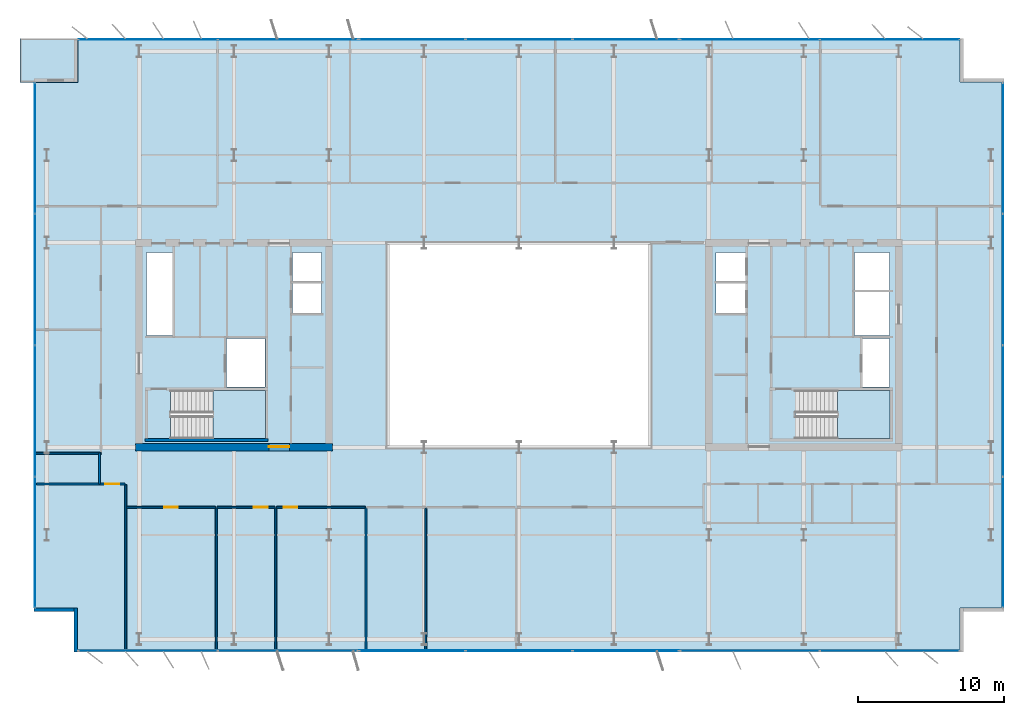
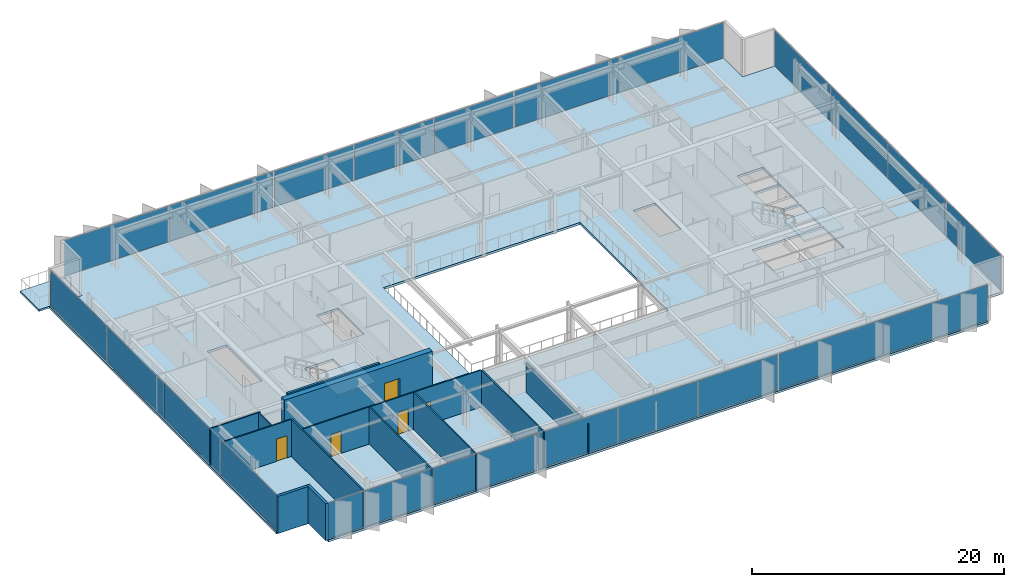
# One storey, part 16 of 23: 22 plates, 15 walls, 5 doors, 4 slabs, 5 openings, 10 elements without a shape of their own.
"""IFC4 building model written with IfcOpenShell, lengths in metres."""

from ifc_helpers import new_model, si_unit, direction, frame, frame_2d, origin, origin_2d, place, context, subcontext, project, spatial, polyline, rectangle, outline, extrude, material, layer, layer_set, type_object, element, fill, aggregate, save


model = new_model("IFC4")

# Units and contexts
model_context = context("Model", 3, precision=1e-05, world=origin(), true_north=direction((0.0, 1.0)))
body_context = subcontext(model_context, "Body", "Model", "MODEL_VIEW")
ifc_project = project(units=[si_unit("LENGTHUNIT", "METRE"), si_unit("AREAUNIT", "SQUARE_METRE"), si_unit("VOLUMEUNIT", "CUBIC_METRE"), si_unit("PLANEANGLEUNIT", "RADIAN"), si_unit("MASSUNIT", "GRAM", prefix="KILO")], contexts=[model_context])

# Site, building, storey
site_placement = place(None, origin())
site = spatial("IfcSite", under=ifc_project, at=site_placement, CompositionType="ELEMENT")
building_placement = place(site_placement, origin())
building = spatial("IfcBuilding", under=site, at=building_placement, Name="Putna Gate Headquarters", CompositionType="ELEMENT")
storey_placement = place(building_placement, frame((0.0, 0.0, 221.39990234375)))
storey = spatial("IfcBuildingStorey", under=building, at=storey_placement, Name="L55", CompositionType="ELEMENT", Elevation=221.39990234375)

# Stair, slab
ifc_material_1 = material(Name="Concrete C40/50", Category="concrete")
stair_type_1 = type_object("IfcStairType", Name="STAIR-ST1", PredefinedType="HALF_TURN_STAIR", material=ifc_material_1)
stair_1_placement = place(storey_placement, origin())
stair_1 = element("IfcStair", 1, at=stair_1_placement, inside=storey, type_object=stair_type_1, Name="L55 West Core Exit Stair ST1", PredefinedType="HALF_TURN_STAIR")
ifc_layer_1 = layer(ifc_material_1, 0.199951171875)
ifc_layer_set_1 = layer_set([ifc_layer_1], Name="Concrete C40/50")
slab_type_1 = type_object("IfcSlabType", Name="LANDING-ST1", PredefinedType="LANDING", material=ifc_layer_set_1)
slab_1_placement = place(storey_placement, frame((0.0, 0.0, 1.7001953125)))
slab_1 = element("IfcSlab", 2, at=slab_1_placement, type_object=slab_type_1, Name="ST1 landing 1", PredefinedType="LANDING", context=body_context, shape_type="SweptSolid", body=[
    extrude(outline(polyline([(18.050048828125, 19.60009765625), (21.64990234375, 19.60009765625), (21.64990234375, 22.89990234375), (18.050048828125, 22.89990234375), (18.050048828125, 19.60009765625)])), origin(), (0.0, 0.0, 1.0), 0.199951171875),
])
aggregate(stair_1, [slab_1])

stair_type_2 = type_object("IfcStairType", Name="STAIR-ST2", PredefinedType="HALF_TURN_STAIR", material=ifc_material_1)
stair_2_placement = place(storey_placement, origin())
stair_2 = element("IfcStair", 3, at=stair_2_placement, inside=storey, type_object=stair_type_2, Name="L55 East Core Exit Stair ST2", PredefinedType="HALF_TURN_STAIR")
ifc_layer_2 = layer(ifc_material_1, 0.199951171875)
ifc_layer_set_2 = layer_set([ifc_layer_2], Name="Concrete C40/50")
slab_type_2 = type_object("IfcSlabType", Name="LANDING-ST2", PredefinedType="LANDING", material=ifc_layer_set_2)
slab_2_placement = place(storey_placement, frame((0.0, 0.0, 1.7001953125)))
slab_2 = element("IfcSlab", 4, at=slab_2_placement, type_object=slab_type_2, Name="ST2 landing 1", PredefinedType="LANDING", context=body_context, shape_type="SweptSolid", body=[
    extrude(outline(polyline([(60.800048828125, 19.60009765625), (64.39990234375, 19.60009765625), (64.39990234375, 22.89990234375), (60.800048828125, 22.89990234375), (60.800048828125, 19.60009765625)])), origin(), (0.0, 0.0, 1.0), 0.199951171875),
])
aggregate(stair_2, [slab_2])

# Curtain wall, plates
ifc_material_2 = material(Name="Anodised bronze aluminium curtain wall", Category="aluminium")
ifc_layer_3 = layer(ifc_material_2, 0.139892578125)
ifc_layer_set_3 = layer_set([ifc_layer_3], Name="Anodised bronze aluminium curtain wall")
curtain_wall_type_1 = type_object("IfcCurtainWallType", Name="CW-SYS-Z4", PredefinedType="USERDEFINED", material=ifc_layer_set_3)
curtain_wall_1_placement = place(storey_placement, origin())
curtain_wall_1 = element("IfcCurtainWall", 5, at=curtain_wall_1_placement, inside=storey, type_object=curtain_wall_type_1, Name="L55 South West Curtain Wall", ObjectType="STICK CURTAIN WALL", PredefinedType="USERDEFINED")
ifc_material_3 = material(Name="Solar-control triple low-E glass", Category="glass")
ifc_layer_4 = layer(ifc_material_3, 0.02587890625)
ifc_layer_set_4 = layer_set([ifc_layer_4], Name="Solar-control triple low-E glass")
plate_type_1 = type_object("IfcPlateType", Name="PAN-CWP-4", PredefinedType="CURTAIN_PANEL", material=ifc_layer_set_4)
plate_1_placement = place(storey_placement, frame((13.614990234375, 5.080078125, 0.06005859375), z_axis=(0.0, 0.0, 1.0), x_axis=(1.0, 0.0, 0.0)))
plate_1 = element("IfcPlate", 6, at=plate_1_placement, type_object=plate_type_1, Name="CWS-4 panel 1.1", PredefinedType="CURTAIN_PANEL", context=body_context, shape_type="SweptSolid", body=[
    extrude(rectangle(XDim=9.510009765625, YDim=0.02587890625, at=origin_2d()), origin(), (0.0, 0.0, 1.0), 3.4599609375),
])
plate_2_placement = place(storey_placement, frame((23.18505859375, 5.080078125, 0.06005859375), z_axis=(0.0, 0.0, 1.0), x_axis=(1.0, 0.0, 0.0)))
plate_2 = element("IfcPlate", 7, at=plate_2_placement, type_object=plate_type_1, Name="CWS-4 panel 2.1", PredefinedType="CURTAIN_PANEL", context=body_context, shape_type="SweptSolid", body=[
    extrude(rectangle(XDim=9.510009765625, YDim=0.02587890625, at=origin_2d()), origin(), (0.0, 0.0, 1.0), 3.4599609375),
])
aggregate(curtain_wall_1, [plate_1, plate_2])

curtain_wall_2_placement = place(storey_placement, origin())
curtain_wall_2 = element("IfcCurtainWall", 8, at=curtain_wall_2_placement, inside=storey, type_object=curtain_wall_type_1, Name="L55 South East Curtain Wall", ObjectType="STICK CURTAIN WALL", PredefinedType="USERDEFINED")
plate_3_placement = place(storey_placement, frame((54.81494140625, 5.080078125, 0.06005859375), z_axis=(0.0, 0.0, 1.0), x_axis=(1.0, 0.0, 0.0)))
plate_3 = element("IfcPlate", 9, at=plate_3_placement, type_object=plate_type_1, Name="CWS-4 panel 1.1", PredefinedType="CURTAIN_PANEL", context=body_context, shape_type="SweptSolid", body=[
    extrude(rectangle(XDim=9.510009765625, YDim=0.02587890625, at=origin_2d()), origin(), (0.0, 0.0, 1.0), 3.4599609375),
])
plate_4_placement = place(storey_placement, frame((64.385009765625, 5.080078125, 0.06005859375), z_axis=(0.0, 0.0, 1.0), x_axis=(1.0, 0.0, 0.0)))
plate_4 = element("IfcPlate", 10, at=plate_4_placement, type_object=plate_type_1, Name="CWS-4 panel 2.1", PredefinedType="CURTAIN_PANEL", context=body_context, shape_type="SweptSolid", body=[
    extrude(rectangle(XDim=9.510009765625, YDim=0.02587890625, at=origin_2d()), origin(), (0.0, 0.0, 1.0), 3.4599609375),
])
aggregate(curtain_wall_2, [plate_3, plate_4])

curtain_wall_3_placement = place(storey_placement, origin())
curtain_wall_3 = element("IfcCurtainWall", 11, at=curtain_wall_3_placement, inside=storey, type_object=curtain_wall_type_1, Name="L55 North West Curtain Wall", ObjectType="STICK CURTAIN WALL", PredefinedType="USERDEFINED")
plate_5_placement = place(storey_placement, frame((13.614990234375, 46.919921875, 0.06005859375), z_axis=(0.0, 0.0, 1.0), x_axis=(1.0, 0.0, 0.0)))
plate_5 = element("IfcPlate", 12, at=plate_5_placement, type_object=plate_type_1, Name="CWS-4 panel 1.1", PredefinedType="CURTAIN_PANEL", context=body_context, shape_type="SweptSolid", body=[
    extrude(rectangle(XDim=9.510009765625, YDim=0.02587890625, at=origin_2d()), origin(), (0.0, 0.0, 1.0), 3.4599609375),
])
plate_6_placement = place(storey_placement, frame((23.18505859375, 46.919921875, 0.06005859375), z_axis=(0.0, 0.0, 1.0), x_axis=(1.0, 0.0, 0.0)))
plate_6 = element("IfcPlate", 13, at=plate_6_placement, type_object=plate_type_1, Name="CWS-4 panel 2.1", PredefinedType="CURTAIN_PANEL", context=body_context, shape_type="SweptSolid", body=[
    extrude(rectangle(XDim=9.510009765625, YDim=0.02587890625, at=origin_2d()), origin(), (0.0, 0.0, 1.0), 3.4599609375),
])
aggregate(curtain_wall_3, [plate_5, plate_6])

curtain_wall_4_placement = place(storey_placement, origin())
curtain_wall_4 = element("IfcCurtainWall", 14, at=curtain_wall_4_placement, inside=storey, type_object=curtain_wall_type_1, Name="L55 North East Curtain Wall", ObjectType="STICK CURTAIN WALL", PredefinedType="USERDEFINED")
plate_7_placement = place(storey_placement, frame((54.81494140625, 46.919921875, 0.06005859375), z_axis=(0.0, 0.0, 1.0), x_axis=(1.0, 0.0, 0.0)))
plate_7 = element("IfcPlate", 15, at=plate_7_placement, type_object=plate_type_1, Name="CWS-4 panel 1.1", PredefinedType="CURTAIN_PANEL", context=body_context, shape_type="SweptSolid", body=[
    extrude(rectangle(XDim=9.510009765625, YDim=0.02587890625, at=origin_2d()), origin(), (0.0, 0.0, 1.0), 3.4599609375),
])
plate_8_placement = place(storey_placement, frame((64.385009765625, 46.919921875, 0.06005859375), z_axis=(0.0, 0.0, 1.0), x_axis=(1.0, 0.0, 0.0)))
plate_8 = element("IfcPlate", 16, at=plate_8_placement, type_object=plate_type_1, Name="CWS-4 panel 2.1", PredefinedType="CURTAIN_PANEL", context=body_context, shape_type="SweptSolid", body=[
    extrude(rectangle(XDim=9.510009765625, YDim=0.02587890625, at=origin_2d()), origin(), (0.0, 0.0, 1.0), 3.4599609375),
])
aggregate(curtain_wall_4, [plate_7, plate_8])

curtain_wall_5_placement = place(storey_placement, origin())
curtain_wall_5 = element("IfcCurtainWall", 17, at=curtain_wall_5_placement, inside=storey, type_object=curtain_wall_type_1, Name="L55 West Curtain Wall", ObjectType="STICK CURTAIN WALL", PredefinedType="USERDEFINED")
plate_9_placement = place(storey_placement, frame((5.8798828125, 12.514892578125, 0.06005859375), z_axis=(0.0, 0.0, 1.0), x_axis=(0.0, 1.0, 0.0)))
plate_9 = element("IfcPlate", 18, at=plate_9_placement, type_object=plate_type_1, Name="CWS-4 panel 1.1", PredefinedType="CURTAIN_PANEL", context=body_context, shape_type="SweptSolid", body=[
    extrude(rectangle(XDim=8.909912109375, YDim=0.02587890625, at=origin_2d()), origin(), (0.0, 0.0, 1.0), 3.4599609375),
])
plate_10_placement = place(storey_placement, frame((5.8798828125, 21.5, 0.06005859375), z_axis=(0.0, 0.0, 1.0), x_axis=(0.0, 1.0, 0.0)))
plate_10 = element("IfcPlate", 19, at=plate_10_placement, type_object=plate_type_1, Name="CWS-4 panel 2.1", PredefinedType="CURTAIN_PANEL", context=body_context, shape_type="SweptSolid", body=[
    extrude(rectangle(XDim=8.93994140625, YDim=0.02587890625, at=origin_2d()), origin(), (0.0, 0.0, 1.0), 3.4599609375),
])
plate_11_placement = place(storey_placement, frame((5.8798828125, 30.5, 0.06005859375), z_axis=(0.0, 0.0, 1.0), x_axis=(0.0, 1.0, 0.0)))
plate_11 = element("IfcPlate", 20, at=plate_11_placement, type_object=plate_type_1, Name="CWS-4 panel 3.1", PredefinedType="CURTAIN_PANEL", context=body_context, shape_type="SweptSolid", body=[
    extrude(rectangle(XDim=8.93994140625, YDim=0.02587890625, at=origin_2d()), origin(), (0.0, 0.0, 1.0), 3.4599609375),
])
plate_12_placement = place(storey_placement, frame((5.8798828125, 39.485107421875, 0.06005859375), z_axis=(0.0, 0.0, 1.0), x_axis=(0.0, 1.0, 0.0)))
plate_12 = element("IfcPlate", 21, at=plate_12_placement, type_object=plate_type_1, Name="CWS-4 panel 4.1", PredefinedType="CURTAIN_PANEL", context=body_context, shape_type="SweptSolid", body=[
    extrude(rectangle(XDim=8.909912109375, YDim=0.02587890625, at=origin_2d()), origin(), (0.0, 0.0, 1.0), 3.4599609375),
])
aggregate(curtain_wall_5, [plate_9, plate_10, plate_11, plate_12])

curtain_wall_6_placement = place(storey_placement, origin())
curtain_wall_6 = element("IfcCurtainWall", 22, at=curtain_wall_6_placement, inside=storey, type_object=curtain_wall_type_1, Name="L55 East Curtain Wall", ObjectType="STICK CURTAIN WALL", PredefinedType="USERDEFINED")
plate_13_placement = place(storey_placement, frame((72.1201171875, 12.514892578125, 0.06005859375), z_axis=(0.0, 0.0, 1.0), x_axis=(0.0, 1.0, 0.0)))
plate_13 = element("IfcPlate", 23, at=plate_13_placement, type_object=plate_type_1, Name="CWS-4 panel 1.1", PredefinedType="CURTAIN_PANEL", context=body_context, shape_type="SweptSolid", body=[
    extrude(rectangle(XDim=8.909912109375, YDim=0.02587890625, at=origin_2d()), origin(), (0.0, 0.0, 1.0), 3.4599609375),
])
plate_14_placement = place(storey_placement, frame((72.1201171875, 21.5, 0.06005859375), z_axis=(0.0, 0.0, 1.0), x_axis=(0.0, 1.0, 0.0)))
plate_14 = element("IfcPlate", 24, at=plate_14_placement, type_object=plate_type_1, Name="CWS-4 panel 2.1", PredefinedType="CURTAIN_PANEL", context=body_context, shape_type="SweptSolid", body=[
    extrude(rectangle(XDim=8.93994140625, YDim=0.02587890625, at=origin_2d()), origin(), (0.0, 0.0, 1.0), 3.4599609375),
])
plate_15_placement = place(storey_placement, frame((72.1201171875, 30.5, 0.06005859375), z_axis=(0.0, 0.0, 1.0), x_axis=(0.0, 1.0, 0.0)))
plate_15 = element("IfcPlate", 25, at=plate_15_placement, type_object=plate_type_1, Name="CWS-4 panel 3.1", PredefinedType="CURTAIN_PANEL", context=body_context, shape_type="SweptSolid", body=[
    extrude(rectangle(XDim=8.93994140625, YDim=0.02587890625, at=origin_2d()), origin(), (0.0, 0.0, 1.0), 3.4599609375),
])
plate_16_placement = place(storey_placement, frame((72.1201171875, 39.485107421875, 0.06005859375), z_axis=(0.0, 0.0, 1.0), x_axis=(0.0, 1.0, 0.0)))
plate_16 = element("IfcPlate", 26, at=plate_16_placement, type_object=plate_type_1, Name="CWS-4 panel 4.1", PredefinedType="CURTAIN_PANEL", context=body_context, shape_type="SweptSolid", body=[
    extrude(rectangle(XDim=8.909912109375, YDim=0.02587890625, at=origin_2d()), origin(), (0.0, 0.0, 1.0), 3.4599609375),
])
aggregate(curtain_wall_6, [plate_13, plate_14, plate_15, plate_16])

ifc_layer_5 = layer(ifc_material_2, 0.179931640625)
ifc_layer_set_5 = layer_set([ifc_layer_5], Name="Anodised bronze aluminium curtain wall")
curtain_wall_type_2 = type_object("IfcCurtainWallType", Name="CW-SYS-ATR", PredefinedType="USERDEFINED", material=ifc_layer_set_5)
curtain_wall_7_placement = place(storey_placement, origin())
curtain_wall_7 = element("IfcCurtainWall", 27, at=curtain_wall_7_placement, inside=storey, type_object=curtain_wall_type_2, Name="L55 South Atrium Clear Glazing", ObjectType="ATRIUM GLAZING", PredefinedType="USERDEFINED")
ifc_material_4 = material(Name="Clear low-iron triple glazing", Category="glass")
ifc_layer_6 = layer(ifc_material_4, 0.0400390625)
ifc_layer_set_6 = layer_set([ifc_layer_6], Name="Clear low-iron triple glazing")
plate_type_2 = type_object("IfcPlateType", Name="PAN-CWP-AT", PredefinedType="CURTAIN_PANEL", material=ifc_layer_set_6)
plate_17_placement = place(storey_placement, frame((31.68408203125, 5.080078125, 0.070068359375), z_axis=(0.0, 0.0, 1.0), x_axis=(1.0, 0.0, 0.0)))
plate_17 = element("IfcPlate", 28, at=plate_17_placement, type_object=plate_type_2, Name="CWS-AT panel 1.1", PredefinedType="CURTAIN_PANEL", context=body_context, shape_type="SweptSolid", body=[
    extrude(rectangle(XDim=7.228271484375, YDim=0.0400390625, at=origin_2d()), origin(), (0.0, 0.0, 1.0), 3.43994140625),
])
plate_18_placement = place(storey_placement, frame((39.0, 5.080078125, 0.070068359375), z_axis=(0.0, 0.0, 1.0), x_axis=(1.0, 0.0, 0.0)))
plate_18 = element("IfcPlate", 29, at=plate_18_placement, type_object=plate_type_2, Name="CWS-AT panel 2.1", PredefinedType="CURTAIN_PANEL", context=body_context, shape_type="SweptSolid", body=[
    extrude(rectangle(XDim=7.263427734375, YDim=0.0400390625, at=origin_2d()), origin(), (0.0, 0.0, 1.0), 3.43994140625),
])
plate_19_placement = place(storey_placement, frame((46.31591796875, 5.080078125, 0.070068359375), z_axis=(0.0, 0.0, 1.0), x_axis=(1.0, 0.0, 0.0)))
plate_19 = element("IfcPlate", 30, at=plate_19_placement, type_object=plate_type_2, Name="CWS-AT panel 3.1", PredefinedType="CURTAIN_PANEL", context=body_context, shape_type="SweptSolid", body=[
    extrude(rectangle(XDim=7.228271484375, YDim=0.0400390625, at=origin_2d()), origin(), (0.0, 0.0, 1.0), 3.43994140625),
])
aggregate(curtain_wall_7, [plate_17, plate_18, plate_19])

curtain_wall_8_placement = place(storey_placement, origin())
curtain_wall_8 = element("IfcCurtainWall", 31, at=curtain_wall_8_placement, inside=storey, type_object=curtain_wall_type_2, Name="L55 North Atrium Clear Glazing", ObjectType="ATRIUM GLAZING", PredefinedType="USERDEFINED")
plate_20_placement = place(storey_placement, frame((31.68408203125, 46.919921875, 0.070068359375), z_axis=(0.0, 0.0, 1.0), x_axis=(1.0, 0.0, 0.0)))
plate_20 = element("IfcPlate", 32, at=plate_20_placement, type_object=plate_type_2, Name="CWS-AT panel 1.1", PredefinedType="CURTAIN_PANEL", context=body_context, shape_type="SweptSolid", body=[
    extrude(rectangle(XDim=7.228271484375, YDim=0.0400390625, at=origin_2d()), origin(), (0.0, 0.0, 1.0), 3.43994140625),
])
plate_21_placement = place(storey_placement, frame((39.0, 46.919921875, 0.070068359375), z_axis=(0.0, 0.0, 1.0), x_axis=(1.0, 0.0, 0.0)))
plate_21 = element("IfcPlate", 33, at=plate_21_placement, type_object=plate_type_2, Name="CWS-AT panel 2.1", PredefinedType="CURTAIN_PANEL", context=body_context, shape_type="SweptSolid", body=[
    extrude(rectangle(XDim=7.263427734375, YDim=0.0400390625, at=origin_2d()), origin(), (0.0, 0.0, 1.0), 3.43994140625),
])
plate_22_placement = place(storey_placement, frame((46.31591796875, 46.919921875, 0.070068359375), z_axis=(0.0, 0.0, 1.0), x_axis=(1.0, 0.0, 0.0)))
plate_22 = element("IfcPlate", 34, at=plate_22_placement, type_object=plate_type_2, Name="CWS-AT panel 3.1", PredefinedType="CURTAIN_PANEL", context=body_context, shape_type="SweptSolid", body=[
    extrude(rectangle(XDim=7.228271484375, YDim=0.0400390625, at=origin_2d()), origin(), (0.0, 0.0, 1.0), 3.43994140625),
])
aggregate(curtain_wall_8, [plate_20, plate_21, plate_22])

# Slabs
ifc_layer_7 = layer(ifc_material_1, 0.179931640625)
ifc_layer_set_7 = layer_set([ifc_layer_7], Name="Concrete C40/50")
slab_type_3 = type_object("IfcSlabType", Name="SLAB-TERRACE-180", PredefinedType="FLOOR", material=ifc_layer_set_7)
slab_3_placement = place(storey_placement, frame((0.0, 0.0, -0.179931640625)))
element("IfcSlab", 35, at=slab_3_placement, inside=storey, type_object=slab_type_3, Name="L55 Spiral Sky-Garden Terrace Slab (NW)", PredefinedType="FLOOR", context=body_context, shape_type="SweptSolid", body=[
    extrude(outline(polyline([(4.85009765625, 43.991943359375), (8.80810546875, 43.991943359375), (8.80810546875, 47.0), (4.85009765625, 47.0), (4.85009765625, 43.991943359375)])), origin(), (0.0, 0.0, 1.0), 0.179931640625),
])
ifc_layer_8 = layer(ifc_material_1, 0.219970703125)
ifc_layer_set_8 = layer_set([ifc_layer_8], Name="Concrete C40/50")
slab_type_4 = type_object("IfcSlabType", Name="SLAB-Z4-220", PredefinedType="FLOOR", material=ifc_layer_set_8)
slab_4_placement = place(storey_placement, frame((0.0, 0.0, -0.219970703125)))
element("IfcSlab", 36, at=slab_4_placement, inside=storey, type_object=slab_type_4, Name="L55 Composite Floor Slab", PredefinedType="FLOOR", context=body_context, shape_type="SweptSolid", body=[
    extrude(outline(polyline([(8.800048828125, 5.0), (69.199951171875, 5.0), (69.199951171875, 8.0), (72.199951171875, 8.0), (72.199951171875, 44.0), (69.199951171875, 44.0), (69.199951171875, 47.0), (8.800048828125, 47.0), (8.800048828125, 44.0), (5.800048828125, 44.0), (5.800048828125, 8.0), (8.800048828125, 8.0), (8.800048828125, 5.0)]), holes=[polyline([(15.1650390625, 19.60009765625), (21.64990234375, 19.60009765625), (21.64990234375, 22.89990234375), (15.1650390625, 22.89990234375), (15.1650390625, 19.60009765625)]), polyline([(57.9150390625, 19.60009765625), (64.39990234375, 19.60009765625), (64.39990234375, 22.89990234375), (57.9150390625, 22.89990234375), (57.9150390625, 19.60009765625)]), polyline([(13.52001953125, 26.659912109375), (15.280029296875, 26.659912109375), (15.280029296875, 32.35009765625), (13.52001953125, 32.35009765625), (13.52001953125, 26.659912109375)]), polyline([(61.969970703125, 29.780029296875), (64.35009765625, 29.780029296875), (64.35009765625, 32.35009765625), (61.969970703125, 32.35009765625), (61.969970703125, 29.780029296875)]), polyline([(18.97998046875, 23.1201171875), (21.6201171875, 23.1201171875), (21.6201171875, 26.4599609375), (18.97998046875, 26.4599609375), (18.97998046875, 23.1201171875)]), polyline([(62.52001953125, 23.1201171875), (64.35009765625, 23.1201171875), (64.35009765625, 26.4599609375), (62.52001953125, 26.4599609375), (62.52001953125, 23.1201171875)]), polyline([(61.969970703125, 26.659912109375), (64.35009765625, 26.659912109375), (64.35009765625, 29.6201171875), (61.969970703125, 29.6201171875), (61.969970703125, 26.659912109375)]), polyline([(23.5, 28.199951171875), (25.5, 28.199951171875), (25.5, 32.35009765625), (23.5, 32.35009765625), (23.5, 28.199951171875)]), polyline([(52.47998046875, 28.199951171875), (54.5, 28.199951171875), (54.5, 32.35009765625), (52.47998046875, 32.35009765625), (52.47998046875, 28.199951171875)]), polyline([(30.0, 19.0), (48.0, 19.0), (48.0, 33.0), (30.0, 33.0), (30.0, 19.0)])]), origin(), (0.0, 0.0, 1.0), 0.219970703125),
])

# Wall, opening, door
ifc_material_5 = material(Name="Concrete C50/60", Category="concrete")
ifc_layer_9 = layer(ifc_material_5, 0.5)
ifc_layer_set_9 = layer_set([ifc_layer_9], Name="Concrete C50/60")
wall_type_1 = type_object("IfcWallType", Name="WALL-CORE-500", PredefinedType="SHEAR", material=ifc_layer_set_9)
wall_1_placement = place(storey_placement, frame((12.75, 19.0, 0.0), z_axis=(0.0, 0.0, 1.0), x_axis=(1.0, 0.0, 0.0)))
wall_1 = element("IfcWall", 37, at=wall_1_placement, inside=storey, type_object=wall_type_1, Name="L55 WC Split Core Shear Wall S", PredefinedType="SHEAR", context=body_context, shape_type="SweptSolid", body=[
    extrude(rectangle(XDim=13.5, YDim=0.5, at=frame_2d((6.75, 0.0))), origin(), (0.0, 0.0, 1.0), 3.800048828125),
])
opening_1_placement = place(wall_1_placement, frame((9.1298828125, 0.0, 0.0)))
opening_1 = element("IfcOpeningElement", 38, at=opening_1_placement, cuts=wall_1, Name="Opening FDD-140", PredefinedType="OPENING", context=body_context, shape_type="SweptSolid", body=[
    extrude(rectangle(XDim=1.39990234375, YDim=2.199951171875, at=frame_2d((0.699951171875, 1.10009765625))), frame((0.0, 0.260009765625, 0.0), z_axis=(0.0, -1.0, 0.0), x_axis=(1.0, 0.0, 0.0)), (0.0, 0.0, 1.0), 0.52001953125),
])
ifc_material_6 = material(Name="Double steel fire door", Category="steel")
door_type_1 = type_object("IfcDoorType", Name="DOOR-FIRE-DBL-1400", OperationType="DOUBLE_DOOR_SINGLE_SWING", PredefinedType="DOOR", material=ifc_material_6)
door_1_placement = place(opening_1_placement, origin())
door_1 = element("IfcDoor", 39, at=door_1_placement, inside=storey, type_object=door_type_1, Name="L55 West Lift Lobby South Door", OperationType="DOUBLE_DOOR_SINGLE_SWING", OverallHeight=2.199951171875, OverallWidth=1.39990234375, PredefinedType="DOOR", context=body_context, shape_type="SweptSolid", body=[
    extrude(rectangle(XDim=1.39990234375, YDim=2.199951171875, at=frame_2d((0.699951171875, 1.10009765625))), frame((0.0, 0.0751953125, 0.0), z_axis=(0.0, -1.0, 0.0), x_axis=(1.0, 0.0, 0.0)), (0.0, 0.0, 1.0), 0.050048828125),
])
fill(opening_1, door_1)

# Walls
ifc_material_7 = material(Name="Precast concrete C40/50", Category="concrete")
ifc_layer_10 = layer(ifc_material_7, 0.239990234375)
ifc_layer_set_10 = layer_set([ifc_layer_10], Name="Precast concrete C40/50")
wall_type_2 = type_object("IfcWallType", Name="WALL-EXT-TERR-240", PredefinedType="STANDARD", material=ifc_layer_set_10)
for number, where, z_axis, x_axis, name in (
    (40, (8.679931640625, 5.0, 0.0), (0.0, 0.0, 1.0), (0.0, 1.0, 0.0), "L55 Corner Notch Return Wall SW-V"),
    (41, (8.800048828125, 7.8798828125, 0.0), (0.0, 0.0, 1.0), (-1.0, 0.0, 0.0), "L55 Corner Notch Return Wall SW-H"),
):
    element("IfcWall", number, at=place(storey_placement, frame(where, z_axis=z_axis, x_axis=x_axis)), inside=storey, type_object=wall_type_2, Name=name, PredefinedType="STANDARD", context=body_context, shape_type="SweptSolid", body=[
        extrude(rectangle(XDim=3.0, YDim=0.239990234375, at=frame_2d((1.5, 0.0))), origin(), (0.0, 0.0, 1.0), 3.580078125),
    ])
ifc_material_8 = material(Name="Acoustic gypsum board on metal stud")
ifc_layer_11 = layer(ifc_material_8, 0.1201171875)
ifc_layer_set_11 = layer_set([ifc_layer_11], Name="Acoustic gypsum board on metal stud")
wall_type_3 = type_object("IfcWallType", Name="WALL-PART-120", PredefinedType="PARTITIONING", material=ifc_layer_set_11)
wall_2_placement = place(storey_placement, frame((12.09130859375, 5.02001953125, 0.0), z_axis=(0.0, 0.0, 1.0), x_axis=(0.0, 1.0, 0.0)))
element("IfcWall", 42, at=wall_2_placement, inside=storey, type_object=wall_type_3, Name="L55 Interior Wall PART-L55-SB-DIV-01", PredefinedType="PARTITIONING", context=body_context, shape_type="SweptSolid", body=[
    extrude(rectangle(XDim=11.419921875, YDim=0.1201171875, at=frame_2d((5.7099609375, 0.0))), origin(), (0.0, 0.0, 1.0), 3.580078125),
])
for number, where, z_axis, x_axis, name in (
    (43, (18.278076171875, 5.02001953125, 0.0), (0.0, 0.0, 1.0), (0.0, 1.0, 0.0), "L55 Interior Wall PART-L55-SB-DIV-02"),
    (44, (22.352294921875, 5.02001953125, 0.0), (0.0, 0.0, 1.0), (0.0, 1.0, 0.0), "L55 Interior Wall PART-L55-SB-DIV-03"),
    (45, (28.5390625, 5.02001953125, 0.0), (0.0, 0.0, 1.0), (0.0, 1.0, 0.0), "L55 Interior Wall PART-L55-SB-DIV-04"),
):
    element("IfcWall", number, at=place(storey_placement, frame(where, z_axis=z_axis, x_axis=x_axis)), inside=storey, type_object=wall_type_3, Name=name, PredefinedType="PARTITIONING", context=body_context, shape_type="SweptSolid", body=[
        extrude(rectangle(XDim=9.820068359375, YDim=0.1201171875, at=frame_2d((4.91015625, 0.0))), origin(), (0.0, 0.0, 1.0), 3.580078125),
    ])
wall_3_placement = place(storey_placement, frame((32.61328125, 5.02001953125, 0.0), z_axis=(0.0, 0.0, 1.0), x_axis=(0.0, 1.0, 0.0)))
element("IfcWall", 46, at=wall_3_placement, inside=storey, type_object=wall_type_3, Name="L55 Interior Wall PART-L55-SB-DIV-05", PredefinedType="PARTITIONING", context=body_context, shape_type="SweptSolid", body=[
    extrude(rectangle(XDim=9.820068359375, YDim=0.1201171875, at=frame_2d((4.91015625, 0.0))), origin(), (0.0, 0.0, 1.0), 2.880126953125),
])
ifc_material_9 = material(Name="Fire-rated gypsum board on metal stud")
ifc_layer_12 = layer(ifc_material_9, 0.1201171875)
ifc_layer_set_12 = layer_set([ifc_layer_12], Name="Fire-rated gypsum board on metal stud")
wall_type_4 = type_object("IfcWallType", Name="WALL-PART-120-RATED", PredefinedType="PARTITIONING", material=ifc_layer_set_12)
wall_4_placement = place(storey_placement, frame((10.291259765625, 16.5, 0.0), z_axis=(0.0, 0.0, 1.0), x_axis=(0.0, 1.0, 0.0)))
element("IfcWall", 47, at=wall_4_placement, inside=storey, type_object=wall_type_4, Name="L55 Interior Wall PART-L55-CORRS-CAPW", PredefinedType="PARTITIONING", context=body_context, shape_type="SweptSolid", body=[
    extrude(rectangle(XDim=2.10009765625, YDim=0.1201171875, at=frame_2d((1.050048828125, 0.0))), origin(), (0.0, 0.0, 1.0), 3.580078125),
])

# Wall, opening, door
wall_5_placement = place(storey_placement, frame((5.97998046875, 16.5, 0.0), z_axis=(0.0, 0.0, 1.0), x_axis=(1.0, 0.0, 0.0)))
wall_5 = element("IfcWall", 48, at=wall_5_placement, inside=storey, type_object=wall_type_4, Name="L55 Interior Wall PART-L55-SB-CW-01", PredefinedType="PARTITIONING", context=body_context, shape_type="SweptSolid", body=[
    extrude(rectangle(XDim=6.05126953125, YDim=0.1201171875, at=frame_2d((3.025634765625, 0.0))), origin(), (0.0, 0.0, 1.0), 3.580078125),
])
opening_2_placement = place(wall_5_placement, frame((4.706298828125, 0.0, 0.0)))
opening_2 = element("IfcOpeningElement", 49, at=opening_2_placement, cuts=wall_5, Name="Opening FD-95", PredefinedType="OPENING", context=body_context, shape_type="SweptSolid", body=[
    extrude(rectangle(XDim=0.949951171875, YDim=2.14990234375, at=frame_2d((0.47509765625, 1.074951171875))), frame((0.0, 0.070068359375, 0.0), z_axis=(0.0, -1.0, 0.0), x_axis=(1.0, 0.0, 0.0)), (0.0, 0.0, 1.0), 0.14013671875),
])
ifc_material_10 = material(Name="Acoustic timber fire door", Category="wood")
door_type_2 = type_object("IfcDoorType", Name="DOOR-FIRE-950", OperationType="NOTDEFINED", PredefinedType="DOOR", material=ifc_material_10)
door_2_placement = place(opening_2_placement, origin())
door_2 = element("IfcDoor", 50, at=door_2_placement, inside=storey, type_object=door_type_2, Name="L55 Quiet Wellness Focus Studio 2 Door", OperationType="SINGLE_SWING_RIGHT", OverallHeight=2.14990234375, OverallWidth=0.949951171875, PredefinedType="DOOR", context=body_context, shape_type="SweptSolid", body=[
    extrude(rectangle(XDim=0.949951171875, YDim=2.14990234375, at=frame_2d((0.47509765625, 1.074951171875))), frame((0.0, 0.02490234375, 0.0), z_axis=(0.0, -1.0, 0.0), x_axis=(1.0, 0.0, 0.0)), (0.0, 0.0, 1.0), 0.050048828125),
])
fill(opening_2, door_2)

wall_6_placement = place(storey_placement, frame((12.1513671875, 14.89990234375, 0.0), z_axis=(0.0, 0.0, 1.0), x_axis=(1.0, 0.0, 0.0)))
wall_6 = element("IfcWall", 51, at=wall_6_placement, inside=storey, type_object=wall_type_4, Name="L55 Interior Wall PART-L55-SB-CW-02", PredefinedType="PARTITIONING", context=body_context, shape_type="SweptSolid", body=[
    extrude(rectangle(XDim=6.066650390625, YDim=0.1201171875, at=frame_2d((3.033203125, 0.0))), origin(), (0.0, 0.0, 1.0), 3.580078125),
])
opening_3_placement = place(wall_6_placement, frame((2.558349609375, 0.0, 0.0)))
opening_3 = element("IfcOpeningElement", 52, at=opening_3_placement, cuts=wall_6, Name="Opening FD-95", PredefinedType="OPENING", context=body_context, shape_type="SweptSolid", body=[
    extrude(rectangle(XDim=0.949951171875, YDim=2.14990234375, at=frame_2d((0.47509765625, 1.074951171875))), frame((0.0, 0.070068359375, 0.0), z_axis=(0.0, -1.0, 0.0), x_axis=(1.0, 0.0, 0.0)), (0.0, 0.0, 1.0), 0.14013671875),
])
door_3_placement = place(opening_3_placement, origin())
door_3 = element("IfcDoor", 53, at=door_3_placement, inside=storey, type_object=door_type_2, Name="L55 Cellular Office 5 Door", OperationType="SINGLE_SWING_LEFT", OverallHeight=2.14990234375, OverallWidth=0.949951171875, PredefinedType="DOOR", context=body_context, shape_type="SweptSolid", body=[
    extrude(rectangle(XDim=0.949951171875, YDim=2.14990234375, at=frame_2d((0.47509765625, 1.074951171875))), frame((0.0, 0.02490234375, 0.0), z_axis=(0.0, -1.0, 0.0), x_axis=(1.0, 0.0, 0.0)), (0.0, 0.0, 1.0), 0.050048828125),
])
fill(opening_3, door_3)

wall_7_placement = place(storey_placement, frame((18.338134765625, 14.89990234375, 0.0), z_axis=(0.0, 0.0, 1.0), x_axis=(1.0, 0.0, 0.0)))
wall_7 = element("IfcWall", 54, at=wall_7_placement, inside=storey, type_object=wall_type_4, Name="L55 Interior Wall PART-L55-SB-CW-03", PredefinedType="PARTITIONING", context=body_context, shape_type="SweptSolid", body=[
    extrude(rectangle(XDim=3.9541015625, YDim=0.1201171875, at=frame_2d((1.97705078125, 0.0))), origin(), (0.0, 0.0, 1.0), 3.580078125),
])
opening_4_placement = place(wall_7_placement, frame((2.524169921875, 0.0, 0.0)))
opening_4 = element("IfcOpeningElement", 55, at=opening_4_placement, cuts=wall_7, Name="Opening FD-95", PredefinedType="OPENING", context=body_context, shape_type="SweptSolid", body=[
    extrude(rectangle(XDim=0.949951171875, YDim=2.14990234375, at=frame_2d((0.47509765625, 1.074951171875))), frame((0.0, 0.070068359375, 0.0), z_axis=(0.0, -1.0, 0.0), x_axis=(1.0, 0.0, 0.0)), (0.0, 0.0, 1.0), 0.14013671875),
])
door_4_placement = place(opening_4_placement, origin())
door_4 = element("IfcDoor", 56, at=door_4_placement, inside=storey, type_object=door_type_2, Name="L55 Conference Meeting Room 1 Door", OperationType="SINGLE_SWING_RIGHT", OverallHeight=2.14990234375, OverallWidth=0.949951171875, PredefinedType="DOOR", context=body_context, shape_type="SweptSolid", body=[
    extrude(rectangle(XDim=0.949951171875, YDim=2.14990234375, at=frame_2d((0.47509765625, 1.074951171875))), frame((0.0, 0.02490234375, 0.0), z_axis=(0.0, -1.0, 0.0), x_axis=(1.0, 0.0, 0.0)), (0.0, 0.0, 1.0), 0.050048828125),
])
fill(opening_4, door_4)

wall_8_placement = place(storey_placement, frame((22.412353515625, 14.89990234375, 0.0), z_axis=(0.0, 0.0, 1.0), x_axis=(1.0, 0.0, 0.0)))
wall_8 = element("IfcWall", 57, at=wall_8_placement, inside=storey, type_object=wall_type_4, Name="L55 Interior Wall PART-L55-SB-CW-04", PredefinedType="PARTITIONING", context=body_context, shape_type="SweptSolid", body=[
    extrude(rectangle(XDim=6.066650390625, YDim=0.1201171875, at=frame_2d((3.033203125, 0.0))), origin(), (0.0, 0.0, 1.0), 3.580078125),
])
opening_5_placement = place(wall_8_placement, frame((0.47998046875, 0.0, 0.0)))
opening_5 = element("IfcOpeningElement", 58, at=opening_5_placement, cuts=wall_8, Name="Opening FD-95", PredefinedType="OPENING", context=body_context, shape_type="SweptSolid", body=[
    extrude(rectangle(XDim=0.949951171875, YDim=2.14990234375, at=frame_2d((0.47509765625, 1.074951171875))), frame((0.0, 0.070068359375, 0.0), z_axis=(0.0, -1.0, 0.0), x_axis=(1.0, 0.0, 0.0)), (0.0, 0.0, 1.0), 0.14013671875),
])
door_5_placement = place(opening_5_placement, origin())
door_5 = element("IfcDoor", 59, at=door_5_placement, inside=storey, type_object=door_type_2, Name="L55 Conference Meeting Room 2 Door", OperationType="SINGLE_SWING_LEFT", OverallHeight=2.14990234375, OverallWidth=0.949951171875, PredefinedType="DOOR", context=body_context, shape_type="SweptSolid", body=[
    extrude(rectangle(XDim=0.949951171875, YDim=2.14990234375, at=frame_2d((0.47509765625, 1.074951171875))), frame((0.0, 0.02490234375, 0.0), z_axis=(0.0, -1.0, 0.0), x_axis=(1.0, 0.0, 0.0)), (0.0, 0.0, 1.0), 0.050048828125),
])
fill(opening_5, door_5)

# Walls
wall_9_placement = place(storey_placement, frame((5.820068359375, 18.60009765625, 0.0), z_axis=(0.0, 0.0, 1.0), x_axis=(1.0, 0.0, 0.0)))
element("IfcWall", 60, at=wall_9_placement, inside=storey, type_object=wall_type_4, Name="L55 Interior Wall PART-L55-WW-S-BOUND", PredefinedType="PARTITIONING", context=body_context, shape_type="SweptSolid", body=[
    extrude(rectangle(XDim=4.579833984375, YDim=0.1201171875, at=frame_2d((2.2900390625, 0.0))), origin(), (0.0, 0.0, 1.0), 3.580078125),
])
ifc_layer_13 = layer(ifc_material_1, 0.199951171875)
ifc_layer_set_13 = layer_set([ifc_layer_13], Name="Concrete C40/50")
wall_type_5 = type_object("IfcWallType", Name="WALL-SHAFT-RC200", PredefinedType="SHEAR", material=ifc_layer_set_13)
wall_10_placement = place(storey_placement, frame((13.409912109375, 19.510009765625, 0.0), z_axis=(0.0, 0.0, 1.0), x_axis=(1.0, 0.0, 0.0)))
element("IfcWall", 61, at=wall_10_placement, inside=storey, type_object=wall_type_5, Name="L55 Stair ST1 Structural Shaft Wall S", PredefinedType="SHEAR", context=body_context, shape_type="SweptSolid", body=[
    extrude(rectangle(XDim=8.43017578125, YDim=0.199951171875, at=frame_2d((4.215087890625, 0.0))), origin(), (0.0, 0.0, 1.0), 3.800048828125),
])

save(model, "model.ifc")
